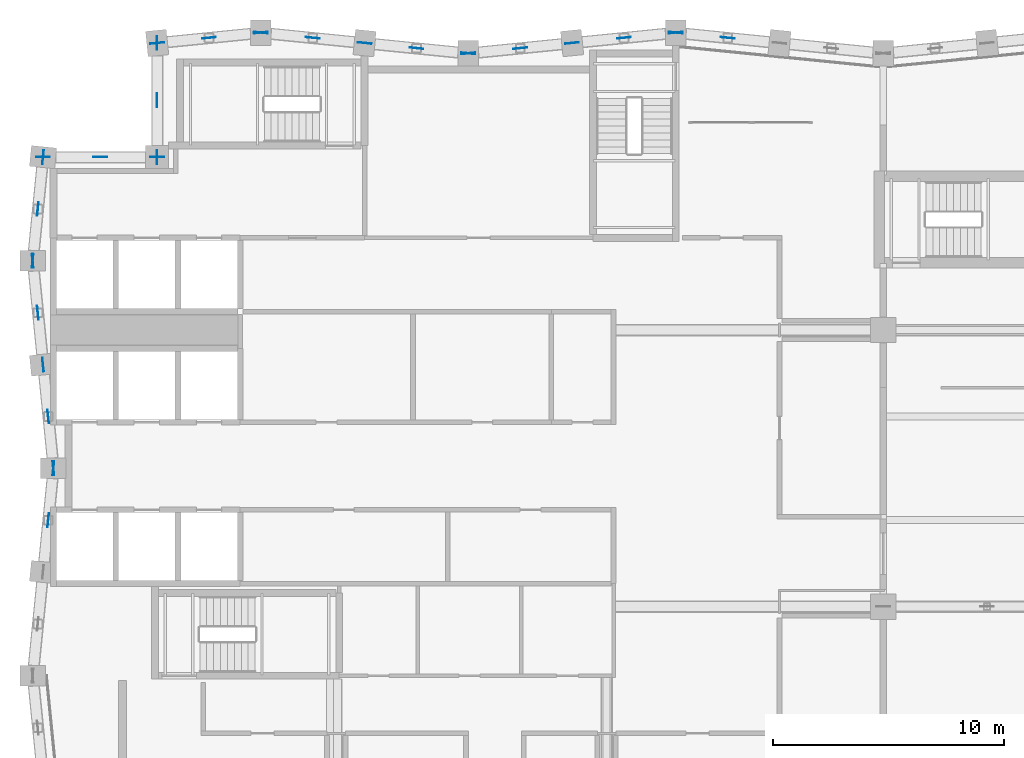
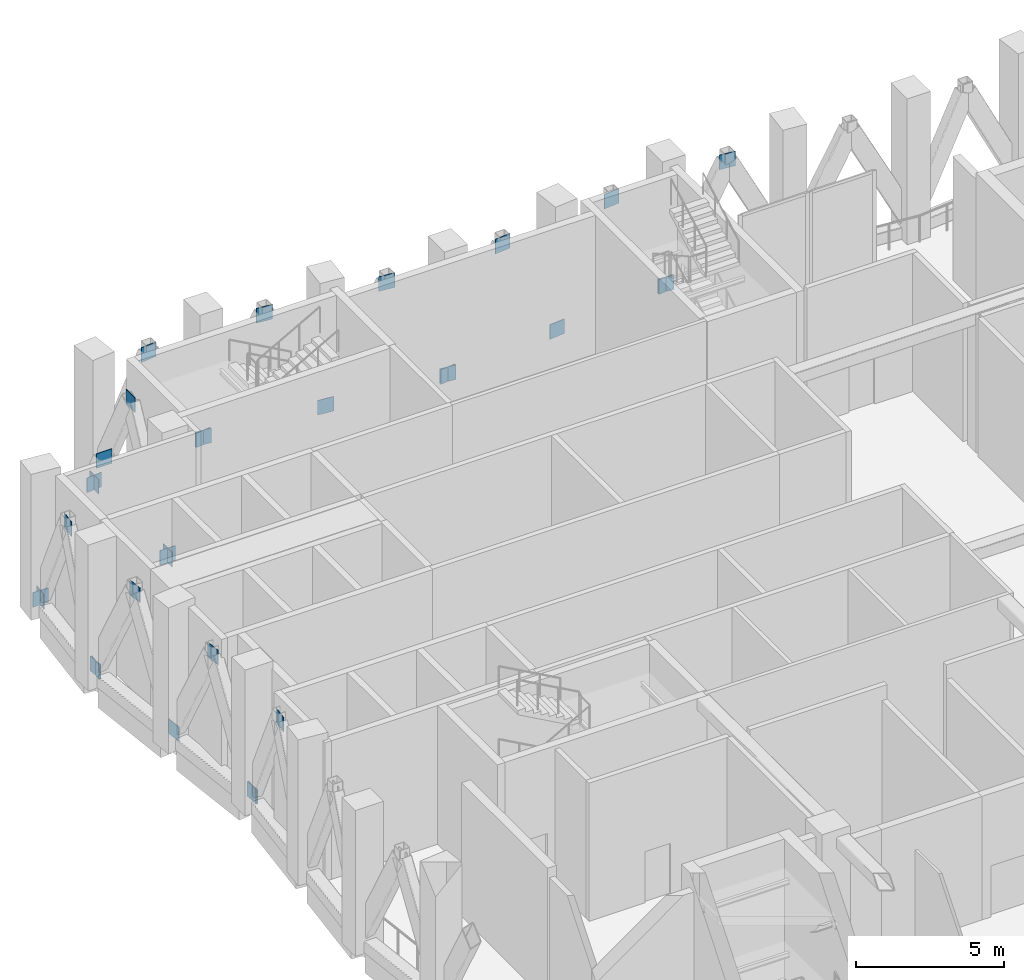
# One storey, part 21 of 28: 31 discrete accessories.
"""IFC4 building model written with IfcOpenShell, lengths in metres."""

from ifc_helpers import new_model, si_unit, direction, frame, origin, origin_2d, place, context, subcontext, project, spatial, rectangle, extrude, material, layer, layer_set, type_object, element, save


model = new_model("IFC4")

# Units and contexts
model_context = context("Model", 3, precision=1e-05, world=origin(), true_north=direction((0.0, 1.0)))
body_context = subcontext(model_context, "Body", "Model", "MODEL_VIEW")
ifc_project = project(units=[si_unit("LENGTHUNIT", "METRE"), si_unit("AREAUNIT", "SQUARE_METRE"), si_unit("VOLUMEUNIT", "CUBIC_METRE"), si_unit("PLANEANGLEUNIT", "RADIAN"), si_unit("MASSUNIT", "GRAM", prefix="KILO")], contexts=[model_context])

# Site, building, storey
site_placement = place(None, origin())
site = spatial("IfcSite", under=ifc_project, at=site_placement, CompositionType="ELEMENT")
building_placement = place(site_placement, origin())
building = spatial("IfcBuilding", under=site, at=building_placement, Name="Brondeck Convention Tower", CompositionType="ELEMENT")
storey_placement = place(building_placement, frame((0.0, 0.0, 192.800048828125)))
storey = spatial("IfcBuildingStorey", under=building, at=storey_placement, Name="L47", CompositionType="ELEMENT", Elevation=192.800048828125)

# Discrete accessories
ifc_material = material(Name="Steel S460", Category="steel")
ifc_layer = layer(ifc_material, 0.02490234375)
ifc_layer_set = layer_set([ifc_layer], Name="Gusset plate 600x600x25 Steel S460")
discrete_accessory_type = type_object("IfcDiscreteAccessoryType", Name="Gusset plate 600x600x25 Steel S460", PredefinedType="BRACKET", material=ifc_layer_set)
for number, where, z_axis, x_axis, name in (
    (1, (29.25, 63.675048828125, 4.6376953125), (0.0, 0.0, 1.0), (-0.9950364836, 0.099510784867, 0.0), "Gusset plate GP-595"),
    (2, (27.0, 63.89990234375, 0.199951171875), (0.0, 0.0, 1.0), (-0.9950364836, 0.099510784867, 0.0), "Gusset plate GP-596"),
    (3, (27.0, 63.89990234375, 0.199951171875), (0.0, 0.0, 1.0), (0.9950364836, 0.099510784867, 0.0), "Gusset plate GP-597"),
    (4, (24.75, 63.675048828125, 4.6376953125), (0.0, 0.0, 1.0), (0.9950364836, 0.099510784867, 0.0), "Gusset plate GP-598"),
    (5, (22.5, 63.449951171875, 0.199951171875), (0.0, 0.0, 1.0), (0.9950364836, 0.099510784867, 0.0), "Gusset plate GP-599"),
    (6, (20.25, 63.22509765625, 4.6376953125), (0.0, 0.0, 1.0), (0.9950364836, 0.099510784867, 0.0), "Gusset plate GP-600"),
    (7, (18.0, 63.0, 0.199951171875), (0.0, 0.0, 1.0), (0.9950364836, 0.099510784867, 0.0), "Gusset plate GP-601"),
    (8, (18.0, 63.0, 0.199951171875), (0.0, 0.0, 1.0), (-0.9950364836, 0.099510784867, 0.0), "Gusset plate GP-602"),
    (9, (15.75, 63.22509765625, 4.6376953125), (0.0, 0.0, 1.0), (-0.9950364836, 0.099510784867, 0.0), "Gusset plate GP-603"),
    (10, (13.5, 63.449951171875, 0.199951171875), (0.0, 0.0, 1.0), (-0.9950364836, 0.099510784867, 0.0), "Gusset plate GP-604"),
    (11, (11.25, 63.675048828125, 4.6376953125), (0.0, 0.0, 1.0), (-0.9950364836, 0.099510784867, 0.0), "Gusset plate GP-605"),
    (12, (9.0, 63.89990234375, 0.199951171875), (0.0, 0.0, 1.0), (-0.9950364836, 0.099510784867, 0.0), "Gusset plate GP-606"),
    (13, (9.0, 63.89990234375, 0.199951171875), (0.0, 0.0, 1.0), (0.9950364836, 0.099510784867, 0.0), "Gusset plate GP-607"),
    (14, (6.75, 63.675048828125, 4.6376953125), (0.0, 0.0, 1.0), (0.9950364836, 0.099510784867, 0.0), "Gusset plate GP-608"),
    (15, (4.5, 63.449951171875, 0.199951171875), (0.0, 0.0, 1.0), (0.9950364836, 0.099510784867, 0.0), "Gusset plate GP-609"),
    (16, (4.5, 63.449951171875, 0.199951171875), (0.0, 0.0, 1.0), (0.0, 1.0, 0.0), "Gusset plate GP-610"),
    (17, (4.5, 60.97509765625, 5.0498046875), (0.0, 0.0, 1.0), (0.0, 1.0, 0.0), "Gusset plate GP-611"),
    (18, (4.5, 58.5, 0.199951171875), (0.0, 0.0, 1.0), (0.0, 1.0, 0.0), "Gusset plate GP-612"),
    (19, (4.5, 58.5, 0.199951171875), (0.0, 0.0, 1.0), (1.0, 0.0, 0.0), "Gusset plate GP-613"),
    (20, (2.02490234375, 58.5, 5.0498046875), (0.0, 0.0, 1.0), (1.0, 0.0, 0.0), "Gusset plate GP-614"),
    (21, (-0.449951171875, 58.5, 0.199951171875), (0.0, 0.0, 1.0), (1.0, 0.0, 0.0), "Gusset plate GP-615"),
    (22, (-0.449951171875, 58.5, 0.199951171875), (0.0, 0.0, 1.0), (0.099510784867, 0.9950364836, 0.0), "Gusset plate GP-616"),
    (23, (-0.675048828125, 56.25, 4.6376953125), (0.0, 0.0, 1.0), (0.099510784867, 0.9950364836, 0.0), "Gusset plate GP-617"),
    (24, (-0.89990234375, 54.0, 0.199951171875), (0.0, 0.0, 1.0), (0.099510784867, 0.9950364836, 0.0), "Gusset plate GP-618"),
    (25, (-0.89990234375, 54.0, 0.199951171875), (0.0, 0.0, 1.0), (-0.099510784867, 0.9950364836, 0.0), "Gusset plate GP-619"),
    (26, (-0.675048828125, 51.75, 4.6376953125), (0.0, 0.0, 1.0), (-0.099510784867, 0.9950364836, 0.0), "Gusset plate GP-620"),
    (27, (-0.449951171875, 49.5, 0.199951171875), (0.0, 0.0, 1.0), (-0.099510784867, 0.9950364836, 0.0), "Gusset plate GP-621"),
    (28, (-0.22509765625, 47.25, 4.6376953125), (0.0, 0.0, 1.0), (-0.099510784867, 0.9950364836, 0.0), "Gusset plate GP-622"),
    (29, (0.0, 45.0, 0.199951171875), (0.0, 0.0, 1.0), (-0.099510784867, 0.9950364836, 0.0), "Gusset plate GP-623"),
    (30, (0.0, 45.0, 0.199951171875), (0.0, 0.0, 1.0), (0.099510784867, 0.9950364836, 0.0), "Gusset plate GP-624"),
    (31, (-0.22509765625, 42.75, 4.6376953125), (0.0, 0.0, 1.0), (0.099510784867, 0.9950364836, 0.0), "Gusset plate GP-625"),
):
    element("IfcDiscreteAccessory", number, at=place(storey_placement, frame(where, z_axis=z_axis, x_axis=x_axis)), inside=storey, type_object=discrete_accessory_type, Name=name, PredefinedType="BRACKET", context=body_context, shape_type="SweptSolid", body=[
        extrude(rectangle(XDim=0.60009765625, YDim=0.02490234375, at=origin_2d()), origin(), (0.0, 0.0, 1.0), 0.60009765625),
    ])

save(model, "model.ifc")
